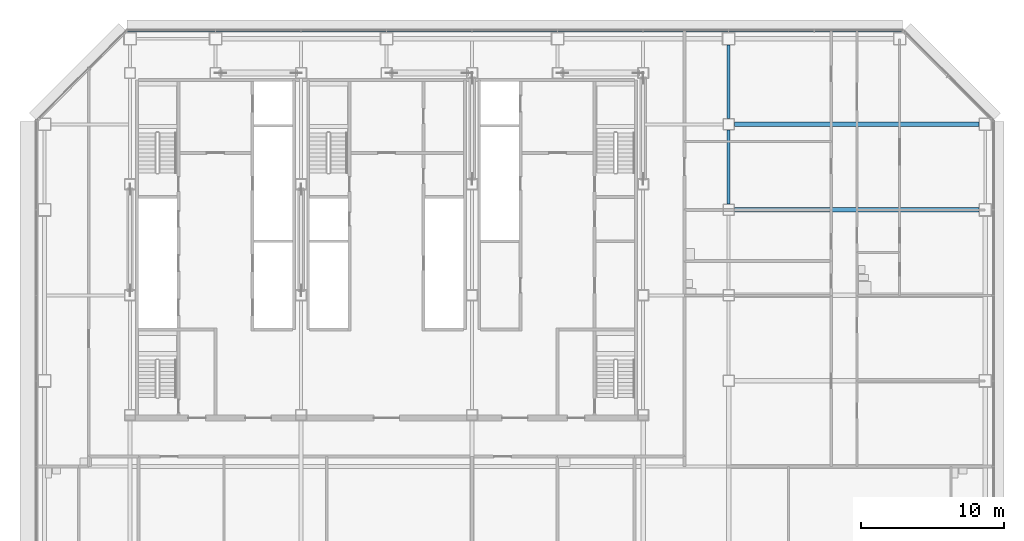
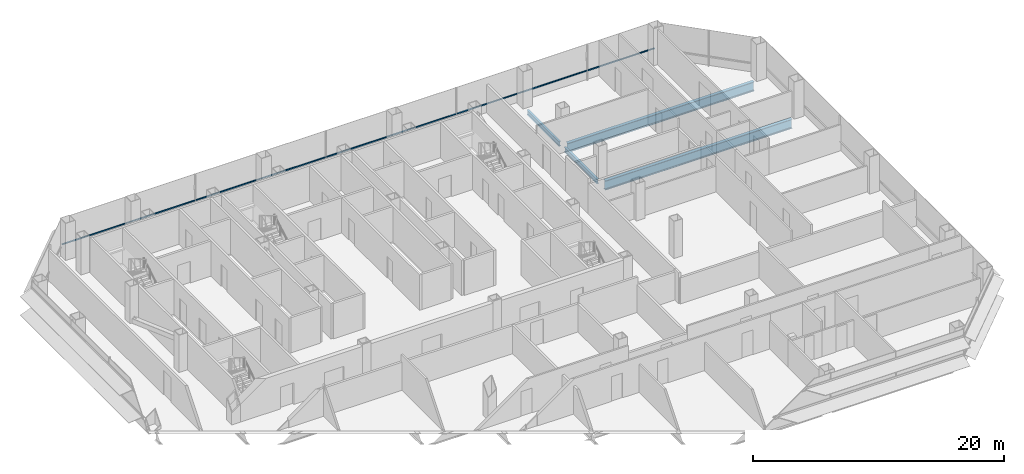
# One storey, part 14 of 27: 4 beams, 1 member, 1 element without a shape of its own.
"""IFC4 building model written with IfcOpenShell, lengths in metres."""

from ifc_helpers import new_model, si_unit, direction, frame, origin, origin_2d, place, context, subcontext, project, spatial, rectangle, i_section, extrude, material, material_profile, profile_set, type_object, element, aggregate, save


model = new_model("IFC4")

# Units and contexts
model_context = context("Model", 3, precision=1e-05, world=origin(), true_north=direction((0.0, 1.0)))
body_context = subcontext(model_context, "Body", "Model", "MODEL_VIEW")
ifc_project = project(units=[si_unit("LENGTHUNIT", "METRE"), si_unit("AREAUNIT", "SQUARE_METRE"), si_unit("VOLUMEUNIT", "CUBIC_METRE"), si_unit("PLANEANGLEUNIT", "RADIAN"), si_unit("MASSUNIT", "GRAM", prefix="KILO")], contexts=[model_context])

# Site, building, storey
site_placement = place(None, origin())
site = spatial("IfcSite", under=ifc_project, at=site_placement, CompositionType="ELEMENT")
building_placement = place(site_placement, origin())
building = spatial("IfcBuilding", under=site, at=building_placement, Name="Sorahane Residences", CompositionType="ELEMENT")
storey_placement = place(building_placement, frame((0.0, 0.0, 75.0)))
storey = spatial("IfcBuildingStorey", under=building, at=storey_placement, Name="L15", CompositionType="ELEMENT", Elevation=75.0)

# Curtain wall, member
ifc_material_1 = material(Name="Dark low-e glass and black anodised aluminium", Category="aluminium")
curtain_wall_type = type_object("IfcCurtainWallType", Name="Curtain wall CW-1 Typical unitised wall", PredefinedType="NOTDEFINED", material=ifc_material_1)
curtain_wall_placement = place(storey_placement, origin())
curtain_wall = element("IfcCurtainWall", 1, at=curtain_wall_placement, inside=storey, type_object=curtain_wall_type, Name="CW-1 curtain wall L15 N1", PredefinedType="NOTDEFINED")
ifc_material_2 = material(Name="Black anodised aluminium", Category="aluminium")
ifc_material_profile_1 = material_profile(ifc_material_2, rectangle(XDim=0.10009765625, YDim=0.06005859375, at=origin_2d()), Name="Curtain wall transom CW-1 black anodised aluminium 60x100")
ifc_profile_set_1 = profile_set([ifc_material_profile_1], Name="Black anodised aluminium")
member_type = type_object("IfcMemberType", Name="Curtain wall transom CW-1 black anodised aluminium 60x100", PredefinedType="USERDEFINED", material=ifc_profile_set_1)
member_placement = place(storey_placement, frame((60.198486328125, 48.530029296875, 0.89990234375), z_axis=(-1.0, 0.0, 0.0), x_axis=(0.0, -1.0, 0.0)))
member = element("IfcMember", 2, at=member_placement, type_object=member_type, Name="CW-1 transom L15 N1", ObjectType="TRANSOM", PredefinedType="USERDEFINED", context=body_context, shape_type="SweptSolid", body=[
    extrude(rectangle(XDim=0.10009765625, YDim=0.06005859375, at=origin_2d()), origin(), (0.0, 0.0, 1.0), 54.39697265625),
])
aggregate(curtain_wall, [member])

# Beams
ifc_material_3 = material(Name="Steel Q355B", Category="steel")
ifc_material_profile_2 = material_profile(ifc_material_3, i_section(OverallWidth=0.199951171875, OverallDepth=0.449951171875, WebThickness=0.009033203125, FlangeThickness=0.013916015625, FilletRadius=0.02001953125, at=origin_2d()), Name="HN 450x200x9x14")
ifc_profile_set_2 = profile_set([ifc_material_profile_2], Name="Steel Q355B")
beam_type_1 = type_object("IfcBeamType", Name="Steel floor beam HN 450x200x9x14 Q355B", PredefinedType="BEAM", material=ifc_profile_set_2)
beam_1_placement = place(storey_placement, frame((48.0, 36.39990234375, -0.405029296875), z_axis=(0.0, 1.0, 0.0), x_axis=(-1.0, 0.0, 0.0)))
element("IfcBeam", 3, at=beam_1_placement, inside=storey, type_object=beam_type_1, Name="Beam L15 055", PredefinedType="BEAM", context=body_context, shape_type="SweptSolid", body=[
    extrude(i_section(OverallWidth=0.199951171875, OverallDepth=0.449951171875, WebThickness=0.009033203125, FlangeThickness=0.013916015625, FilletRadius=0.02001953125, at=origin_2d()), origin(), (0.0, 0.0, 1.0), 5.2001953125),
])
beam_2_placement = place(storey_placement, frame((48.0, 42.39990234375, -0.405029296875), z_axis=(0.0, 1.0, 0.0), x_axis=(-1.0, 0.0, 0.0)))
element("IfcBeam", 4, at=beam_2_placement, inside=storey, type_object=beam_type_1, Name="Beam L15 056", PredefinedType="BEAM", context=body_context, shape_type="SweptSolid", body=[
    extrude(i_section(OverallWidth=0.199951171875, OverallDepth=0.449951171875, WebThickness=0.009033203125, FlangeThickness=0.013916015625, FilletRadius=0.02001953125, at=origin_2d()), origin(), (0.0, 0.0, 1.0), 5.150146484375),
])
ifc_material_4 = material(Name="Steel Q355B", Category="steel")
ifc_material_profile_3 = material_profile(ifc_material_4, i_section(OverallWidth=0.300048828125, OverallDepth=0.89990234375, WebThickness=0.01611328125, FlangeThickness=0.028076171875, FilletRadius=0.028076171875, at=origin_2d()), Name="HN 900x300x16x28")
ifc_profile_set_3 = profile_set([ifc_material_profile_3], Name="Steel Q355B")
beam_type_2 = type_object("IfcBeamType", Name="Steel floor beam HN 900x300x16x28 Q355B", PredefinedType="BEAM", material=ifc_profile_set_3)
for number, where, z_axis, x_axis, name in (
    (5, (48.39990234375, 36.0, -0.6298828125), (1.0, 0.0, 0.0), (0.0, 1.0, 0.0), "Beam L15 011"),
    (6, (48.39990234375, 42.0, -0.6298828125), (1.0, 0.0, 0.0), (0.0, 1.0, 0.0), "Beam L15 081"),
):
    element("IfcBeam", number, at=place(storey_placement, frame(where, z_axis=z_axis, x_axis=x_axis)), inside=storey, type_object=beam_type_2, Name=name, PredefinedType="BEAM", context=body_context, shape_type="SweptSolid", body=[
        extrude(i_section(OverallWidth=0.300048828125, OverallDepth=0.89990234375, WebThickness=0.01611328125, FlangeThickness=0.028076171875, FilletRadius=0.028076171875, at=origin_2d()), origin(), (0.0, 0.0, 1.0), 17.150146484375),
    ])

save(model, "model.ifc")
